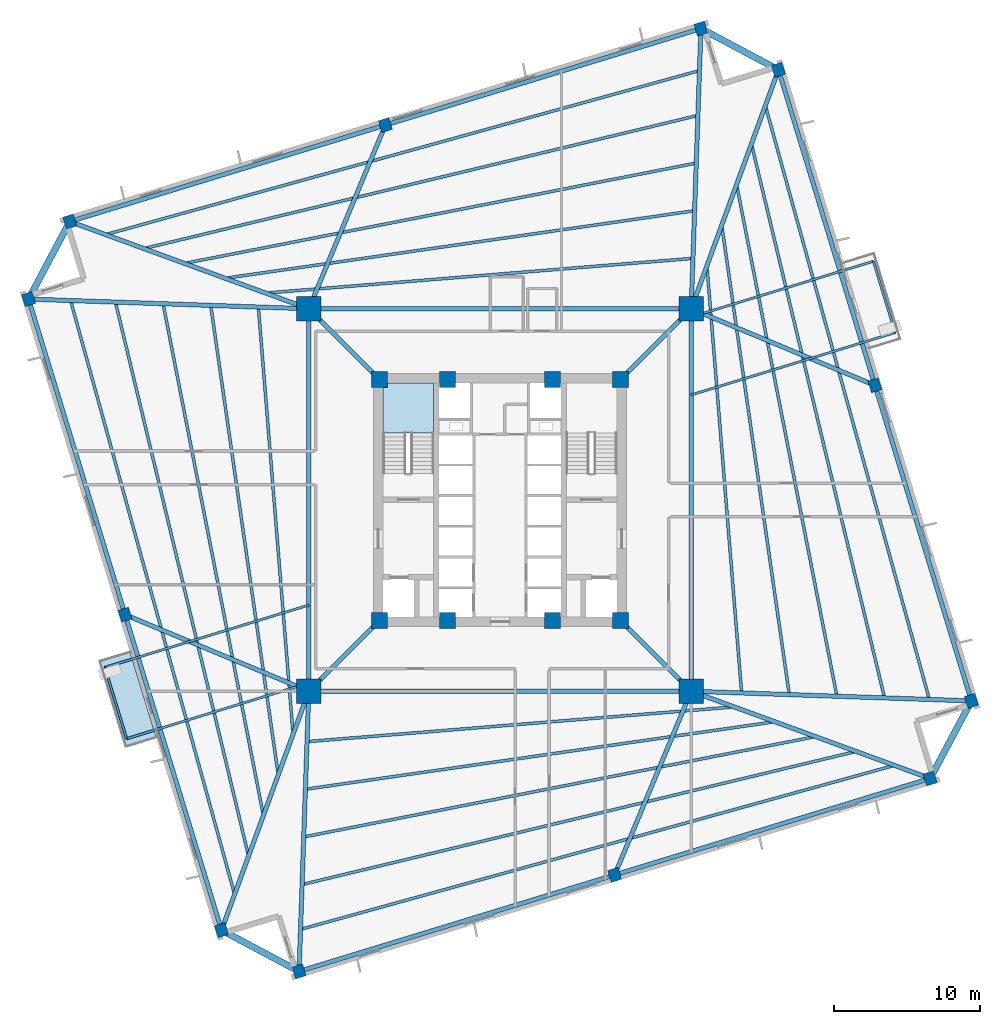
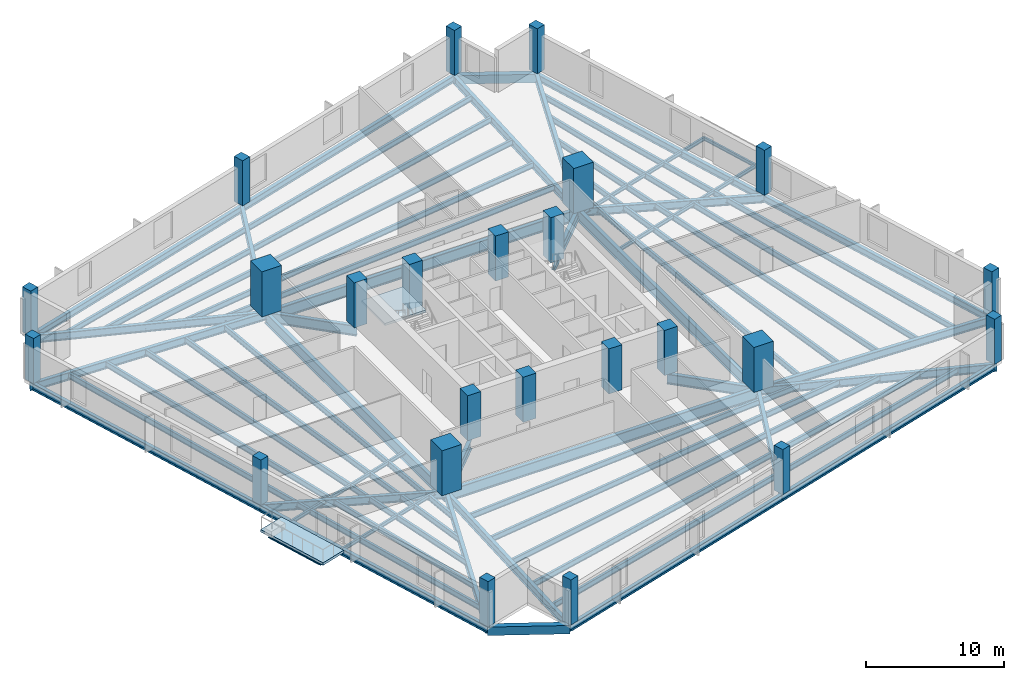
# One storey, part 1 of 9: 58 beams, 24 columns, 2 slabs, 1 element without a shape of its own.
"""IFC4 building model written with IfcOpenShell, lengths in metres."""

from ifc_helpers import new_model, si_unit, direction, frame, origin, origin_2d, place, context, subcontext, project, spatial, polyline, rectangle, i_section, outline, extrude, source, transform, mapped, material, layer, layer_set, material_profile, profile_set, type_object, element, aggregate, save


model = new_model("IFC4")

# Units and contexts
model_context = context("Model", 3, precision=1e-05, world=origin(), true_north=direction((0.0, 1.0)))
body_context = subcontext(model_context, "Body", "Model", "MODEL_VIEW")
ifc_project = project(units=[si_unit("LENGTHUNIT", "METRE"), si_unit("AREAUNIT", "SQUARE_METRE"), si_unit("VOLUMEUNIT", "CUBIC_METRE"), si_unit("PLANEANGLEUNIT", "RADIAN"), si_unit("MASSUNIT", "GRAM", prefix="KILO"), si_unit("THERMODYNAMICTEMPERATUREUNIT", "KELVIN")], contexts=[model_context])

# Site, building, storey
site_placement = place(None, origin())
site = spatial("IfcSite", under=ifc_project, at=site_placement, CompositionType="ELEMENT")
building_placement = place(site_placement, origin())
building = spatial("IfcBuilding", under=site, at=building_placement, Name="Kosmvard Interchange Tower", CompositionType="ELEMENT")
storey_placement = place(building_placement, frame((0.0, 0.0, 131.199951171875)))
storey = spatial("IfcBuildingStorey", under=building, at=storey_placement, Name="L31", CompositionType="ELEMENT", Elevation=131.199951171875)

# Columns
ifc_material_1 = material(Name="Concrete C80/95", Category="concrete")
ifc_material_profile_1 = material_profile(ifc_material_1, rectangle(XDim=1.10009765625, YDim=1.10009765625, at=origin_2d()), Name="CP 1100x1100")
ifc_profile_set_1 = profile_set([ifc_material_profile_1], Name="Concrete C80/95")
column_type_1 = type_object("IfcColumnType", Name="Core Boundary Pilaster 1100x1100 C80/95", PredefinedType="PILASTER", material=ifc_profile_set_1)
shared_shape_1 = source(origin(), body_context, "Body", "SweptSolid", [
    extrude(rectangle(XDim=1.10009765625, YDim=1.10009765625, at=origin_2d()), origin(), (0.0, 0.0, 1.0), 4.0),
])
for number, where, z_axis, x_axis, name in (
    (1, (-8.25, -8.25, 0.0), (0.0, 0.0, 1.0), (1.0, 0.0, 0.0), "L31 Core Pilaster CP1"),
    (2, (8.25, -8.25, 0.0), (0.0, 0.0, 1.0), (1.0, 0.0, 0.0), "L31 Core Pilaster CP2"),
    (3, (8.25, 8.25, 0.0), (0.0, 0.0, 1.0), (1.0, 0.0, 0.0), "L31 Core Pilaster CP3"),
    (4, (-8.25, 8.25, 0.0), (0.0, 0.0, 1.0), (1.0, 0.0, 0.0), "L31 Core Pilaster CP4"),
    (5, (-3.60009765625, -8.25, 0.0), (0.0, 0.0, 1.0), (1.0, 0.0, 0.0), "L31 Core Pilaster CP5"),
    (6, (3.60009765625, -8.25, 0.0), (0.0, 0.0, 1.0), (1.0, 0.0, 0.0), "L31 Core Pilaster CP6"),
    (7, (-3.60009765625, 8.25, 0.0), (0.0, 0.0, 1.0), (1.0, 0.0, 0.0), "L31 Core Pilaster CP7"),
    (8, (3.60009765625, 8.25, 0.0), (0.0, 0.0, 1.0), (1.0, 0.0, 0.0), "L31 Core Pilaster CP8"),
):
    element("IfcColumn", number, at=place(storey_placement, frame(where, z_axis=z_axis, x_axis=x_axis)), inside=storey, type_object=column_type_1, Name=name, PredefinedType="PILASTER", context=body_context, shape_type="MappedRepresentation", body=[
        mapped(shared_shape_1, transform((0.0, 0.0, 0.0), scale=1.0)),
    ])
ifc_material_2 = material(Name="Concrete C70/85", Category="concrete")
ifc_material_profile_2 = material_profile(ifc_material_2, rectangle(XDim=1.64990234375, YDim=1.64990234375, at=origin_2d()), Name="MC 1650x1650")
ifc_profile_set_2 = profile_set([ifc_material_profile_2], Name="Concrete C70/85")
column_type_2 = type_object("IfcColumnType", Name="Composite Mega-Column 1650x1650 C70/85", PredefinedType="COLUMN", material=ifc_profile_set_2)
shared_shape_2 = source(origin(), body_context, "Body", "SweptSolid", [
    extrude(rectangle(XDim=1.64990234375, YDim=1.64990234375, at=origin_2d()), origin(), (0.0, 0.0, 1.0), 4.0),
])
for number, where, z_axis, x_axis, name in (
    (9, (-13.0810546875, -13.0810546875, 0.0), (0.0, 0.0, 1.0), (1.0, 0.0, 0.0), "L31 Corner Mega-Column MC1"),
    (10, (13.0810546875, -13.0810546875, 0.0), (0.0, 0.0, 1.0), (1.0, 0.0, 0.0), "L31 Corner Mega-Column MC2"),
    (11, (13.0810546875, 13.0810546875, 0.0), (0.0, 0.0, 1.0), (1.0, 0.0, 0.0), "L31 Corner Mega-Column MC3"),
    (12, (-13.0810546875, 13.0810546875, 0.0), (0.0, 0.0, 1.0), (1.0, 0.0, 0.0), "L31 Corner Mega-Column MC4"),
):
    element("IfcColumn", number, at=place(storey_placement, frame(where, z_axis=z_axis, x_axis=x_axis)), inside=storey, type_object=column_type_2, Name=name, PredefinedType="COLUMN", context=body_context, shape_type="MappedRepresentation", body=[
        mapped(shared_shape_2, transform((0.0, 0.0, 0.0), scale=1.0)),
    ])
ifc_material_3 = material(Name="Concrete C60/75", Category="concrete")
ifc_material_profile_3 = material_profile(ifc_material_3, rectangle(XDim=0.75, YDim=0.85009765625, at=origin_2d()), Name="TC 850x750")
ifc_profile_set_3 = profile_set([ifc_material_profile_3], Name="Concrete C60/75")
column_type_3 = type_object("IfcColumnType", Name="Zone 2 Perimeter Pier Column 850x750 C60/75", PredefinedType="COLUMN", material=ifc_profile_set_3)
shared_shape_3 = source(origin(), body_context, "Body", "SweptSolid", [
    extrude(rectangle(XDim=0.75, YDim=0.85009765625, at=origin_2d()), origin(), (0.0, 0.0, 1.0), 4.0),
])
for number, where, z_axis, x_axis, name in (
    (13, (-13.74560546875, -32.253173828125, 0.0), (0.0, 0.0, 1.0), (0.956304755963, 0.292371704723, 0.0), "L31 Perimeter Pier Column TC-S1"),
    (14, (7.8427734375, -25.65283203125, 0.0), (0.0, 0.0, 1.0), (0.956304755963, 0.292371704723, 0.0), "L31 Perimeter Pier Column TC-S2"),
    (15, (29.431396484375, -19.052490234375, 0.0), (0.0, 0.0, 1.0), (0.956304755963, 0.292371704723, 0.0), "L31 Perimeter Pier Column TC-S3"),
    (16, (32.253173828125, -13.74560546875, 0.0), (0.0, 0.0, 1.0), (0.956304755963, 0.292371704723, 0.0), "L31 Perimeter Pier Column TC-E1"),
    (17, (25.65283203125, 7.8427734375, 0.0), (0.0, 0.0, 1.0), (0.956304755963, 0.292371704723, 0.0), "L31 Perimeter Pier Column TC-E2"),
    (18, (19.052490234375, 29.431396484375, 0.0), (0.0, 0.0, 1.0), (0.956304755963, 0.292371704723, 0.0), "L31 Perimeter Pier Column TC-E3"),
    (19, (13.74560546875, 32.253173828125, 0.0), (0.0, 0.0, 1.0), (0.956304755963, 0.292371704723, 0.0), "L31 Perimeter Pier Column TC-N1"),
    (20, (-7.8427734375, 25.65283203125, 0.0), (0.0, 0.0, 1.0), (0.956304755963, 0.292371704723, 0.0), "L31 Perimeter Pier Column TC-N2"),
    (21, (-29.431396484375, 19.052490234375, 0.0), (0.0, 0.0, 1.0), (0.956304755963, 0.292371704723, 0.0), "L31 Perimeter Pier Column TC-N3"),
    (22, (-32.253173828125, 13.74560546875, 0.0), (0.0, 0.0, 1.0), (0.956304755963, 0.292371704723, 0.0), "L31 Perimeter Pier Column TC-W1"),
    (23, (-25.65283203125, -7.8427734375, 0.0), (0.0, 0.0, 1.0), (0.956304755963, 0.292371704723, 0.0), "L31 Perimeter Pier Column TC-W2"),
    (24, (-19.052490234375, -29.431396484375, 0.0), (0.0, 0.0, 1.0), (0.956304755963, 0.292371704723, 0.0), "L31 Perimeter Pier Column TC-W3"),
):
    element("IfcColumn", number, at=place(storey_placement, frame(where, z_axis=z_axis, x_axis=x_axis)), inside=storey, type_object=column_type_3, Name=name, PredefinedType="COLUMN", context=body_context, shape_type="MappedRepresentation", body=[
        mapped(shared_shape_3, transform((0.0, 0.0, 0.0), scale=1.0)),
    ])

# Beams
ifc_material_4 = material(Name="Steel S460", Category="steel")
ifc_material_profile_4 = material_profile(ifc_material_4, i_section(OverallWidth=0.30810546875, OverallDepth=0.909912109375, WebThickness=0.02099609375, FlangeThickness=0.0400390625, FilletRadius=0.027099609375, at=origin_2d()), Name="HEM 900")
ifc_profile_set_4 = profile_set([ifc_material_profile_4], Name="Steel S460")
beam_type_1 = type_object("IfcBeamType", Name="Primary Mega-Frame Girder HEM 900 S460", PredefinedType="BEAM", material=ifc_profile_set_4)
shared_shape_4 = source(origin(), body_context, "Body", "SweptSolid", [
    extrude(i_section(OverallWidth=0.30810546875, OverallDepth=0.909912109375, WebThickness=0.02099609375, FlangeThickness=0.0400390625, FilletRadius=0.027099609375, at=origin_2d()), origin(), (0.0, 0.0, 1.0), 6.83203125),
])
for number, where, z_axis, x_axis, name in (
    (25, (-8.25, -8.25, -0.71484375), (-0.707106781187, -0.707106781187, 0.0), (0.707106781187, -0.707106781187, 0.0), "L31 Radial Mega-Frame Girder 1"),
    (26, (8.25, -8.25, -0.71484375), (0.707106781187, -0.707106781187, 0.0), (0.707106781187, 0.707106781187, 0.0), "L31 Radial Mega-Frame Girder 2"),
    (27, (8.25, 8.25, -0.71484375), (0.707106781187, 0.707106781187, 0.0), (-0.707106781187, 0.707106781187, 0.0), "L31 Radial Mega-Frame Girder 3"),
    (28, (-8.25, 8.25, -0.71484375), (-0.707106781187, 0.707106781187, 0.0), (-0.707106781187, -0.707106781187, 0.0), "L31 Radial Mega-Frame Girder 4"),
):
    element("IfcBeam", number, at=place(storey_placement, frame(where, z_axis=z_axis, x_axis=x_axis)), inside=storey, type_object=beam_type_1, Name=name, PredefinedType="BEAM", context=body_context, shape_type="MappedRepresentation", body=[
        mapped(shared_shape_4, transform((0.0, 0.0, 0.0), scale=1.0)),
    ])
ifc_material_profile_5 = material_profile(ifc_material_4, i_section(OverallWidth=0.30908203125, OverallDepth=1.008056640625, WebThickness=0.02099609375, FlangeThickness=0.0400390625, FilletRadius=0.030029296875, at=origin_2d()), Name="HEM 1000")
ifc_profile_set_5 = profile_set([ifc_material_profile_5], Name="Steel S460")
beam_type_2 = type_object("IfcBeamType", Name="Mega-Column Ring Girder HEM 1000 S460", PredefinedType="BEAM", material=ifc_profile_set_5)
shared_shape_5 = source(origin(), body_context, "Body", "SweptSolid", [
    extrude(i_section(OverallWidth=0.30908203125, OverallDepth=1.008056640625, WebThickness=0.02099609375, FlangeThickness=0.0400390625, FilletRadius=0.030029296875, at=origin_2d()), origin(), (0.0, 0.0, 1.0), 26.162109375),
])
for number, where, z_axis, x_axis, name in (
    (29, (-13.0810546875, -13.0810546875, -0.763916015625), (1.0, 0.0, 0.0), (0.0, 1.0, 0.0), "L31 Mega-Column Ring Girder 1"),
    (30, (13.0810546875, -13.0810546875, -0.763916015625), (0.0, 1.0, 0.0), (-1.0, 0.0, 0.0), "L31 Mega-Column Ring Girder 2"),
    (31, (13.0810546875, 13.0810546875, -0.763916015625), (-1.0, 0.0, 0.0), (0.0, -1.0, 0.0), "L31 Mega-Column Ring Girder 3"),
    (32, (-13.0810546875, 13.0810546875, -0.763916015625), (0.0, -1.0, 0.0), (1.0, 0.0, 0.0), "L31 Mega-Column Ring Girder 4"),
):
    element("IfcBeam", number, at=place(storey_placement, frame(where, z_axis=z_axis, x_axis=x_axis)), inside=storey, type_object=beam_type_2, Name=name, PredefinedType="BEAM", context=body_context, shape_type="MappedRepresentation", body=[
        mapped(shared_shape_5, transform((0.0, 0.0, 0.0), scale=1.0)),
    ])
ifc_material_5 = material(Name="Steel S355", Category="steel")
ifc_material_profile_6 = material_profile(ifc_material_5, i_section(OverallWidth=0.14990234375, OverallDepth=0.300048828125, WebThickness=0.007080078125, FlangeThickness=0.0107421875, FilletRadius=0.014892578125, at=origin_2d()), Name="IPE 300")
ifc_profile_set_6 = profile_set([ifc_material_profile_6], Name="Steel S355")
beam_type_3 = type_object("IfcBeamType", Name="Balcony Edge Header Joist IPE 300 S355", PredefinedType="JOIST", material=ifc_profile_set_6)
shared_shape_6 = source(origin(), body_context, "Body", "SweptSolid", [
    extrude(i_section(OverallWidth=0.14990234375, OverallDepth=0.300048828125, WebThickness=0.007080078125, FlangeThickness=0.0107421875, FilletRadius=0.014892578125, at=origin_2d()), origin(), (0.0, 0.0, 1.0), 5.099853515625),
])
for number, where, z_axis, x_axis, name in (
    (33, (27.032470703125, 11.4541015625, -0.409912109375), (-0.292403397238, 0.956295066015, 0.0), (-0.956295066015, -0.292403397238, 0.0), "BM-L31-BJH1"),
    (34, (-27.032470703125, -11.4541015625, -0.409912109375), (0.292403397238, -0.956295066015, 0.0), (0.956295066015, 0.292403397238, 0.0), "BM-L31-BJH2"),
):
    element("IfcBeam", number, at=place(storey_placement, frame(where, z_axis=z_axis, x_axis=x_axis)), inside=storey, type_object=beam_type_3, Name=name, PredefinedType="JOIST", context=body_context, shape_type="MappedRepresentation", body=[
        mapped(shared_shape_6, transform((0.0, 0.0, 0.0), scale=1.0)),
    ])
ifc_material_profile_7 = material_profile(ifc_material_5, i_section(OverallWidth=0.300048828125, OverallDepth=0.60009765625, WebThickness=0.015380859375, FlangeThickness=0.030029296875, FilletRadius=0.027099609375, at=origin_2d()), Name="HEB 600")
ifc_profile_set_7 = profile_set([ifc_material_profile_7], Name="Steel S355")
beam_type_4 = type_object("IfcBeamType", Name="Perimeter Tie Girder HEB 600 S355", PredefinedType="BEAM", material=ifc_profile_set_7)
shared_shape_7 = source(origin(), body_context, "Body", "SweptSolid", [
    extrude(i_section(OverallWidth=0.300048828125, OverallDepth=0.60009765625, WebThickness=0.015380859375, FlangeThickness=0.030029296875, FilletRadius=0.027099609375, at=origin_2d()), origin(), (0.0, 0.0, 1.0), 22.57470703125),
])
for number, where, z_axis, x_axis, name in (
    (35, (-13.74560546875, -32.253173828125, -0.56005859375), (0.956303368768, 0.292376241995, 0.0), (-0.292376241995, 0.956303368768, 0.0), "BM-L31-PR01"),
    (36, (32.253173828125, -13.74560546875, -0.56005859375), (-0.292376241995, 0.956303368768, 0.0), (-0.956303368768, -0.292376241995, 0.0), "BM-L31-PR04"),
    (37, (13.74560546875, 32.253173828125, -0.56005859375), (-0.956303368768, -0.292376241995, 0.0), (0.292376241995, -0.956303368768, 0.0), "BM-L31-PR07"),
    (38, (-32.253173828125, 13.74560546875, -0.56005859375), (0.292376241995, -0.956303368768, 0.0), (0.956303368768, 0.292376241995, 0.0), "BM-L31-PR10"),
):
    element("IfcBeam", number, at=place(storey_placement, frame(where, z_axis=z_axis, x_axis=x_axis)), inside=storey, type_object=beam_type_4, Name=name, PredefinedType="BEAM", context=body_context, shape_type="MappedRepresentation", body=[
        mapped(shared_shape_7, transform((0.0, 0.0, 0.0), scale=1.0)),
    ])
ifc_material_profile_8 = material_profile(ifc_material_5, i_section(OverallWidth=0.300048828125, OverallDepth=0.699951171875, WebThickness=0.01708984375, FlangeThickness=0.031982421875, FilletRadius=0.027099609375, at=origin_2d()), Name="HEB 700")
ifc_profile_set_8 = profile_set([ifc_material_profile_8], Name="Steel S355")
beam_type_5 = type_object("IfcBeamType", Name="Primary Floor Girder HEB 700 S355", PredefinedType="BEAM", material=ifc_profile_set_8)
shared_shape_8 = source(origin(), body_context, "Body", "SweptSolid", [
    extrude(i_section(OverallWidth=0.300048828125, OverallDepth=0.699951171875, WebThickness=0.01708984375, FlangeThickness=0.031982421875, FilletRadius=0.027099609375, at=origin_2d()), origin(), (0.0, 0.0, 1.0), 19.18359375),
])
for number, where, z_axis, x_axis, name in (
    (39, (-13.0810546875, -13.0810546875, -0.60986328125), (-0.034641549738, -0.999399801397, 0.0), (0.999399801397, -0.034641549738, 0.0), "BM-L31-RD01"),
    (40, (13.0810546875, -13.0810546875, -0.60986328125), (0.999399801397, -0.034641549738, 0.0), (0.034641549738, 0.999399801397, 0.0), "BM-L31-RD04"),
    (41, (13.0810546875, 13.0810546875, -0.60986328125), (0.034641549738, 0.999399801397, 0.0), (-0.999399801397, 0.034641549738, 0.0), "BM-L31-RD07"),
    (42, (-13.0810546875, 13.0810546875, -0.60986328125), (-0.999399801397, 0.034641549738, 0.0), (-0.034641549738, -0.999399801397, 0.0), "BM-L31-RD10"),
):
    element("IfcBeam", number, at=place(storey_placement, frame(where, z_axis=z_axis, x_axis=x_axis)), inside=storey, type_object=beam_type_5, Name=name, PredefinedType="BEAM", context=body_context, shape_type="MappedRepresentation", body=[
        mapped(shared_shape_8, transform((0.0, 0.0, 0.0), scale=1.0)),
    ])
shared_shape_9 = source(origin(), body_context, "Body", "SweptSolid", [
    extrude(i_section(OverallWidth=0.300048828125, OverallDepth=0.60009765625, WebThickness=0.015380859375, FlangeThickness=0.030029296875, FilletRadius=0.027099609375, at=origin_2d()), origin(), (0.0, 0.0, 1.0), 22.574951171875),
])
for number, where, z_axis, x_axis, name in (
    (43, (7.8427734375, -25.65283203125, -0.56005859375), (0.956304293239, 0.292373218222, 0.0), (-0.292373218222, 0.956304293239, 0.0), "BM-L31-PR02"),
    (44, (25.65283203125, 7.8427734375, -0.56005859375), (-0.292373218222, 0.956304293239, 0.0), (-0.956304293239, -0.292373218222, 0.0), "BM-L31-PR05"),
    (45, (-7.8427734375, 25.65283203125, -0.56005859375), (-0.956304293239, -0.292373218222, 0.0), (0.292373218222, -0.956304293239, 0.0), "BM-L31-PR08"),
    (46, (-25.65283203125, -7.8427734375, -0.56005859375), (0.292373218222, -0.956304293239, 0.0), (0.956304293239, 0.292373218222, 0.0), "BM-L31-PR11"),
):
    element("IfcBeam", number, at=place(storey_placement, frame(where, z_axis=z_axis, x_axis=x_axis)), inside=storey, type_object=beam_type_4, Name=name, PredefinedType="BEAM", context=body_context, shape_type="MappedRepresentation", body=[
        mapped(shared_shape_9, transform((0.0, 0.0, 0.0), scale=1.0)),
    ])
shared_shape_10 = source(origin(), body_context, "Body", "SweptSolid", [
    extrude(i_section(OverallWidth=0.300048828125, OverallDepth=0.699951171875, WebThickness=0.01708984375, FlangeThickness=0.031982421875, FilletRadius=0.027099609375, at=origin_2d()), origin(), (0.0, 0.0, 1.0), 13.619384765625),
])
for number, where, z_axis, x_axis, name in (
    (47, (13.0810546875, -13.0810546875, -0.60986328125), (-0.384617930303, -0.92307586237, 0.0), (0.92307586237, -0.384617930303, 0.0), "BM-L31-RD02"),
    (48, (13.0810546875, 13.0810546875, -0.60986328125), (0.92307586237, -0.384617930303, 0.0), (0.384617930303, 0.92307586237, 0.0), "BM-L31-RD05"),
    (49, (-13.0810546875, 13.0810546875, -0.60986328125), (0.384617930303, 0.92307586237, 0.0), (-0.92307586237, 0.384617930303, 0.0), "BM-L31-RD08"),
    (50, (-13.0810546875, -13.0810546875, -0.60986328125), (-0.92307586237, 0.384617930303, 0.0), (-0.384617930303, -0.92307586237, 0.0), "BM-L31-RD11"),
):
    element("IfcBeam", number, at=place(storey_placement, frame(where, z_axis=z_axis, x_axis=x_axis)), inside=storey, type_object=beam_type_5, Name=name, PredefinedType="BEAM", context=body_context, shape_type="MappedRepresentation", body=[
        mapped(shared_shape_10, transform((0.0, 0.0, 0.0), scale=1.0)),
    ])
ifc_material_6 = material(Name="Precast concrete C45/55", Category="concrete")
ifc_material_profile_9 = material_profile(ifc_material_6, rectangle(XDim=0.449951171875, YDim=0.75, at=origin_2d()), Name="SL 450x750")
ifc_profile_set_9 = profile_set([ifc_material_profile_9], Name="Precast concrete C45/55")
beam_type_6 = type_object("IfcBeamType", Name="Precast Spandrel Lintel 450x750 C45/55", PredefinedType="LINTEL", material=ifc_profile_set_9)
shared_shape_11 = source(origin(), body_context, "Body", "SweptSolid", [
    extrude(rectangle(XDim=0.449951171875, YDim=0.75, at=origin_2d()), origin(), (0.0, 0.0, 1.0), 6.010498046875),
])
for number, where, z_axis, x_axis, name in (
    (51, (29.431396484375, -19.052490234375, -0.635009765625), (0.469478912111, 0.882943685114, 0.0), (-0.882943685114, 0.469478912111, 0.0), "BM-L31-SL1"),
    (52, (19.052490234375, 29.431396484375, -0.635009765625), (-0.882943685114, 0.469478912111, 0.0), (-0.469478912111, -0.882943685114, 0.0), "BM-L31-SL2"),
    (53, (-29.431396484375, 19.052490234375, -0.635009765625), (-0.469478912111, -0.882943685114, 0.0), (0.882943685114, -0.469478912111, 0.0), "BM-L31-SL3"),
    (54, (-19.052490234375, -29.431396484375, -0.635009765625), (0.882943685114, -0.469478912111, 0.0), (0.469478912111, 0.882943685114, 0.0), "BM-L31-SL4"),
):
    element("IfcBeam", number, at=place(storey_placement, frame(where, z_axis=z_axis, x_axis=x_axis)), inside=storey, type_object=beam_type_6, Name=name, PredefinedType="LINTEL", context=body_context, shape_type="MappedRepresentation", body=[
        mapped(shared_shape_11, transform((0.0, 0.0, 0.0), scale=1.0)),
    ])
shared_shape_12 = source(origin(), body_context, "Body", "SweptSolid", [
    extrude(i_section(OverallWidth=0.300048828125, OverallDepth=0.699951171875, WebThickness=0.01708984375, FlangeThickness=0.031982421875, FilletRadius=0.027099609375, at=origin_2d()), origin(), (0.0, 0.0, 1.0), 17.40673828125),
])
for number, where, z_axis, x_axis, name in (
    (55, (13.0810546875, -13.0810546875, -0.60986328125), (0.939315429031, -0.343054696491, 0.0), (0.343054696491, 0.939315429031, 0.0), "BM-L31-RD03"),
    (56, (13.0810546875, 13.0810546875, -0.60986328125), (0.343054696491, 0.939315429031, 0.0), (-0.939315429031, 0.343054696491, 0.0), "BM-L31-RD06"),
    (57, (-13.0810546875, 13.0810546875, -0.60986328125), (-0.939315429031, 0.343054696491, 0.0), (-0.343054696491, -0.939315429031, 0.0), "BM-L31-RD09"),
    (58, (-13.0810546875, -13.0810546875, -0.60986328125), (-0.343054696491, -0.939315429031, 0.0), (0.939315429031, -0.343054696491, 0.0), "BM-L31-RD12"),
):
    element("IfcBeam", number, at=place(storey_placement, frame(where, z_axis=z_axis, x_axis=x_axis)), inside=storey, type_object=beam_type_5, Name=name, PredefinedType="BEAM", context=body_context, shape_type="MappedRepresentation", body=[
        mapped(shared_shape_12, transform((0.0, 0.0, 0.0), scale=1.0)),
    ])
ifc_material_profile_10 = material_profile(ifc_material_5, i_section(OverallWidth=0.199951171875, OverallDepth=0.5, WebThickness=0.01025390625, FlangeThickness=0.01611328125, FilletRadius=0.02099609375, at=origin_2d()), Name="IPE 500")
ifc_profile_set_10 = profile_set([ifc_material_profile_10], Name="Steel S355")
beam_type_7 = type_object("IfcBeamType", Name="Standard Floor Joist IPE 500 S355", PredefinedType="JOIST", material=ifc_profile_set_10)
shared_shape_13 = source(origin(), body_context, "Body", "SweptSolid", [
    extrude(i_section(OverallWidth=0.199951171875, OverallDepth=0.5, WebThickness=0.01025390625, FlangeThickness=0.01611328125, FilletRadius=0.02099609375, at=origin_2d()), origin(), (0.0, 0.0, 1.0), 29.1611328125),
])
for number, where, z_axis, x_axis, name in (
    (59, (-13.120849609375, -16.525390625, -0.510009765625), (0.99671134435, 0.081033919093, 0.0), (-0.081033919093, 0.99671134435, 0.0), "BM-L31-FJ01"),
    (60, (16.525390625, -13.120849609375, -0.510009765625), (-0.081033919093, 0.99671134435, 0.0), (-0.99671134435, -0.081033919093, 0.0), "BM-L31-FJ06"),
    (61, (13.120849609375, 16.525390625, -0.510009765625), (-0.99671134435, -0.081033919093, 0.0), (0.081033919093, -0.99671134435, 0.0), "BM-L31-FJ11"),
    (62, (-16.525390625, 13.120849609375, -0.510009765625), (0.081033919093, -0.99671134435, 0.0), (0.99671134435, 0.081033919093, 0.0), "BM-L31-FJ16"),
):
    element("IfcBeam", number, at=place(storey_placement, frame(where, z_axis=z_axis, x_axis=x_axis)), inside=storey, type_object=beam_type_7, Name=name, PredefinedType="JOIST", context=body_context, shape_type="MappedRepresentation", body=[
        mapped(shared_shape_13, transform((0.0, 0.0, 0.0), scale=1.0)),
    ])
shared_shape_14 = source(origin(), body_context, "Body", "SweptSolid", [
    extrude(i_section(OverallWidth=0.199951171875, OverallDepth=0.5, WebThickness=0.01025390625, FlangeThickness=0.01611328125, FilletRadius=0.02099609375, at=origin_2d()), origin(), (0.0, 0.0, 1.0), 32.287841796875),
])
for number, where, z_axis, x_axis, name in (
    (63, (-13.234375, -19.77978515625, -0.510009765625), (0.989810798314, 0.142388846268, 0.0), (-0.142388846268, 0.989810798314, 0.0), "BM-L31-FJ02"),
    (64, (19.77978515625, -13.234375, -0.510009765625), (-0.142388846268, 0.989810798314, 0.0), (-0.989810798314, -0.142388846268, 0.0), "BM-L31-FJ07"),
    (65, (13.234375, 19.77978515625, -0.510009765625), (-0.989810798314, -0.142388846268, 0.0), (0.142388846268, -0.989810798314, 0.0), "BM-L31-FJ12"),
    (66, (-19.77978515625, 13.234375, -0.510009765625), (0.142388846268, -0.989810798314, 0.0), (0.989810798314, 0.142388846268, 0.0), "BM-L31-FJ17"),
):
    element("IfcBeam", number, at=place(storey_placement, frame(where, z_axis=z_axis, x_axis=x_axis)), inside=storey, type_object=beam_type_7, Name=name, PredefinedType="JOIST", context=body_context, shape_type="MappedRepresentation", body=[
        mapped(shared_shape_14, transform((0.0, 0.0, 0.0), scale=1.0)),
    ])
shared_shape_15 = source(origin(), body_context, "Body", "SweptSolid", [
    extrude(i_section(OverallWidth=0.199951171875, OverallDepth=0.5, WebThickness=0.01025390625, FlangeThickness=0.01611328125, FilletRadius=0.02099609375, at=origin_2d()), origin(), (0.0, 0.0, 1.0), 35.516357421875),
])
for number, where, z_axis, x_axis, name in (
    (67, (-13.34814453125, -23.03515625, -0.510009765625), (0.981315785618, 0.192404077134, 0.0), (-0.192404077134, 0.981315785618, 0.0), "BM-L31-FJ03"),
    (68, (23.03515625, -13.34814453125, -0.510009765625), (-0.192404077134, 0.981315785618, 0.0), (-0.981315785618, -0.192404077134, 0.0), "BM-L31-FJ08"),
    (69, (13.34814453125, 23.03515625, -0.510009765625), (-0.981315785618, -0.192404077134, 0.0), (0.192404077134, -0.981315785618, 0.0), "BM-L31-FJ13"),
    (70, (-23.03515625, 13.34814453125, -0.510009765625), (0.192404077134, -0.981315785618, 0.0), (0.981315785618, 0.192404077134, 0.0), "BM-L31-FJ18"),
):
    element("IfcBeam", number, at=place(storey_placement, frame(where, z_axis=z_axis, x_axis=x_axis)), inside=storey, type_object=beam_type_7, Name=name, PredefinedType="JOIST", context=body_context, shape_type="MappedRepresentation", body=[
        mapped(shared_shape_15, transform((0.0, 0.0, 0.0), scale=1.0)),
    ])
shared_shape_16 = source(origin(), body_context, "Body", "SweptSolid", [
    extrude(i_section(OverallWidth=0.199951171875, OverallDepth=0.5, WebThickness=0.01025390625, FlangeThickness=0.01611328125, FilletRadius=0.02099609375, at=origin_2d()), origin(), (0.0, 0.0, 1.0), 38.821533203125),
])
for number, where, z_axis, x_axis, name in (
    (71, (-13.4619140625, -26.291015625, -0.510009765625), (0.972318244358, 0.233660505198, 0.0), (-0.233660505198, 0.972318244358, 0.0), "BM-L31-FJ04"),
    (72, (26.291015625, -13.4619140625, -0.510009765625), (-0.233660505198, 0.972318244358, 0.0), (-0.972318244358, -0.233660505198, 0.0), "BM-L31-FJ09"),
    (73, (13.4619140625, 26.291015625, -0.510009765625), (-0.972318244358, -0.233660505198, 0.0), (0.233660505198, -0.972318244358, 0.0), "BM-L31-FJ14"),
    (74, (-26.291015625, 13.4619140625, -0.510009765625), (0.233660505198, -0.972318244358, 0.0), (0.972318244358, 0.233660505198, 0.0), "BM-L31-FJ19"),
):
    element("IfcBeam", number, at=place(storey_placement, frame(where, z_axis=z_axis, x_axis=x_axis)), inside=storey, type_object=beam_type_7, Name=name, PredefinedType="JOIST", context=body_context, shape_type="MappedRepresentation", body=[
        mapped(shared_shape_16, transform((0.0, 0.0, 0.0), scale=1.0)),
    ])
shared_shape_17 = source(origin(), body_context, "Body", "SweptSolid", [
    extrude(i_section(OverallWidth=0.199951171875, OverallDepth=0.5, WebThickness=0.01025390625, FlangeThickness=0.01611328125, FilletRadius=0.02099609375, at=origin_2d()), origin(), (0.0, 0.0, 1.0), 41.98583984375),
])
for number, where, z_axis, x_axis, name in (
    (75, (-13.56884765625, -29.35595703125, -0.510009765625), (0.96391074105, 0.266225624778, 0.0), (-0.266225624778, 0.96391074105, 0.0), "BM-L31-FJ05"),
    (76, (29.35595703125, -13.56884765625, -0.510009765625), (-0.266225624778, 0.96391074105, 0.0), (-0.96391074105, -0.266225624778, 0.0), "BM-L31-FJ10"),
    (77, (13.56884765625, 29.35595703125, -0.510009765625), (-0.96391074105, -0.266225624778, 0.0), (0.266225624778, -0.96391074105, 0.0), "BM-L31-FJ15"),
    (78, (-29.35595703125, 13.56884765625, -0.510009765625), (0.266225624778, -0.96391074105, 0.0), (0.96391074105, 0.266225624778, 0.0), "BM-L31-FJ20"),
):
    element("IfcBeam", number, at=place(storey_placement, frame(where, z_axis=z_axis, x_axis=x_axis)), inside=storey, type_object=beam_type_7, Name=name, PredefinedType="JOIST", context=body_context, shape_type="MappedRepresentation", body=[
        mapped(shared_shape_17, transform((0.0, 0.0, 0.0), scale=1.0)),
    ])
ifc_material_profile_11 = material_profile(ifc_material_5, i_section(OverallWidth=0.159912109375, OverallDepth=0.330078125, WebThickness=0.007568359375, FlangeThickness=0.011474609375, FilletRadius=0.01806640625, at=origin_2d()), Name="IPE 330")
ifc_profile_set_11 = profile_set([ifc_material_profile_11], Name="Steel S355")
beam_type_8 = type_object("IfcBeamType", Name="Balcony Cantilever Joist IPE 330 S355", PredefinedType="JOIST", material=ifc_profile_set_11)
shared_shape_18 = source(origin(), body_context, "Body", "SweptSolid", [
    extrude(i_section(OverallWidth=0.159912109375, OverallDepth=0.330078125, WebThickness=0.007568359375, FlangeThickness=0.011474609375, FilletRadius=0.01806640625, at=origin_2d()), origin(), (0.0, 0.0, 1.0), 14.5888671875),
])
for number, where, z_axis, x_axis, name in (
    (79, (13.0810546875, 7.188720703125, -0.425048828125), (0.95630466141, 0.292372013991, 0.0), (-0.292372013991, 0.95630466141, 0.0), "BM-L31-BJ1"),
    (80, (-13.0810546875, -7.188720703125, -0.425048828125), (-0.95630466141, -0.292372013991, 0.0), (0.292372013991, -0.95630466141, 0.0), "BM-L31-BJ2"),
):
    element("IfcBeam", number, at=place(storey_placement, frame(where, z_axis=z_axis, x_axis=x_axis)), inside=storey, type_object=beam_type_8, Name=name, PredefinedType="JOIST", context=body_context, shape_type="MappedRepresentation", body=[
        mapped(shared_shape_18, transform((0.0, 0.0, 0.0), scale=1.0)),
    ])
shared_shape_19 = source(origin(), body_context, "Body", "SweptSolid", [
    extrude(i_section(OverallWidth=0.159912109375, OverallDepth=0.330078125, WebThickness=0.007568359375, FlangeThickness=0.011474609375, FilletRadius=0.01806640625, at=origin_2d()), origin(), (0.0, 0.0, 1.0), 13.029541015625),
])
for number, where, z_axis, x_axis, name in (
    (81, (13.0810546875, 12.521728515625, -0.425048828125), (0.956307777684, 0.292361820938, 0.0), (-0.292361820938, 0.956307777684, 0.0), "BM-L31-BJB1"),
    (82, (-13.0810546875, -12.521728515625, -0.425048828125), (-0.956307777684, -0.292361820938, 0.0), (0.292361820938, -0.956307777684, 0.0), "BM-L31-BJB2"),
):
    element("IfcBeam", number, at=place(storey_placement, frame(where, z_axis=z_axis, x_axis=x_axis)), inside=storey, type_object=beam_type_8, Name=name, PredefinedType="JOIST", context=body_context, shape_type="MappedRepresentation", body=[
        mapped(shared_shape_19, transform((0.0, 0.0, 0.0), scale=1.0)),
    ])

# Stair, slab
ifc_material_7 = material(Name="Concrete C50/60", Category="concrete")
stair_type = type_object("IfcStairType", Name="Dog-Leg Core Exit Stair H4000 C50/60", PredefinedType="HALF_TURN_STAIR", material=ifc_material_7)
stair_placement = place(storey_placement, origin())
stair = element("IfcStair", 83, at=stair_placement, inside=storey, type_object=stair_type, Name="L31 Protected Exit Stair ST-1", PredefinedType="HALF_TURN_STAIR")
ifc_layer_1 = layer(ifc_material_7, 0.199951171875, Name="Concrete C50/60")
ifc_layer_set_1 = layer_set([ifc_layer_1], Name="Concrete C50/60")
slab_type_1 = type_object("IfcSlabType", Name="Stair Half-Landing Slab 200 C50/60", PredefinedType="LANDING", material=ifc_layer_set_1)
slab_1_placement = place(storey_placement, frame((0.0, 0.0, 1.800048828125)))
slab_1 = element("IfcSlab", 84, at=slab_1_placement, type_object=slab_type_1, Name="ST-1 landing 1", PredefinedType="LANDING", context=body_context, shape_type="SweptSolid", body=[
    extrude(outline(polyline([(-4.5400390625, 4.60009765625), (-4.5400390625, 8.0), (-8.0, 8.0), (-8.0, 4.60009765625), (-4.5400390625, 4.60009765625)])), origin(), (0.0, 0.0, 1.0), 0.199951171875),
])
aggregate(stair, [slab_1])

# Slab
ifc_layer_2 = layer(ifc_material_7, 0.22998046875, Name="Concrete C50/60")
ifc_layer_set_2 = layer_set([ifc_layer_2], Name="Concrete C50/60")
slab_type_2 = type_object("IfcSlabType", Name="Tree-Planter Cantilever Balcony Slab 230 C50/60", PredefinedType="FLOOR", material=ifc_layer_set_2)
slab_2_placement = place(storey_placement, frame((0.0, 0.0, -0.22998046875)))
element("IfcSlab", 85, at=slab_2_placement, inside=storey, type_object=slab_type_2, Name="L31 Outdoor Terrace Balcony Slab BAL-L31-W", PredefinedType="FLOOR", context=body_context, shape_type="SweptSolid", body=[
    extrude(outline(polyline([(-25.61962890625, -16.93017578125), (-23.515625, -16.286865234375), (-25.328369140625, -10.35791015625), (-27.43212890625, -11.001220703125), (-25.61962890625, -16.93017578125)])), origin(), (0.0, 0.0, 1.0), 0.22998046875),
])

save(model, "model.ifc")
